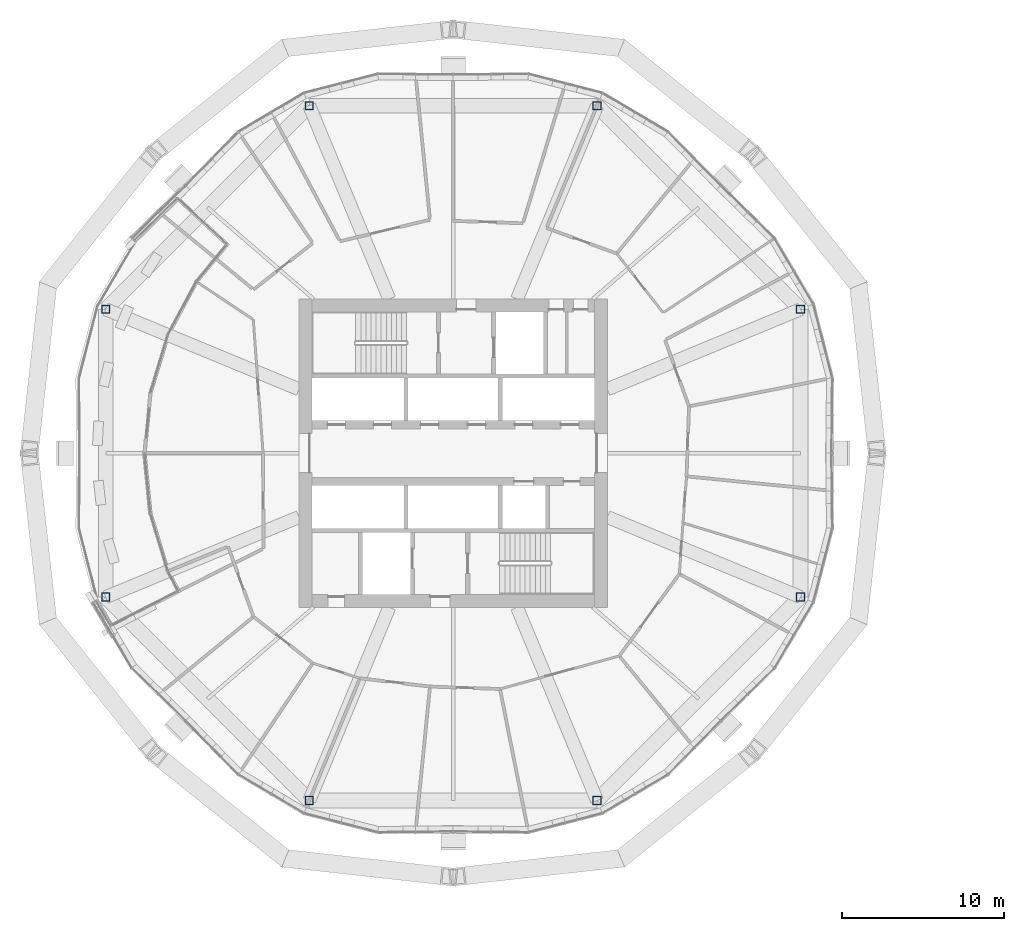
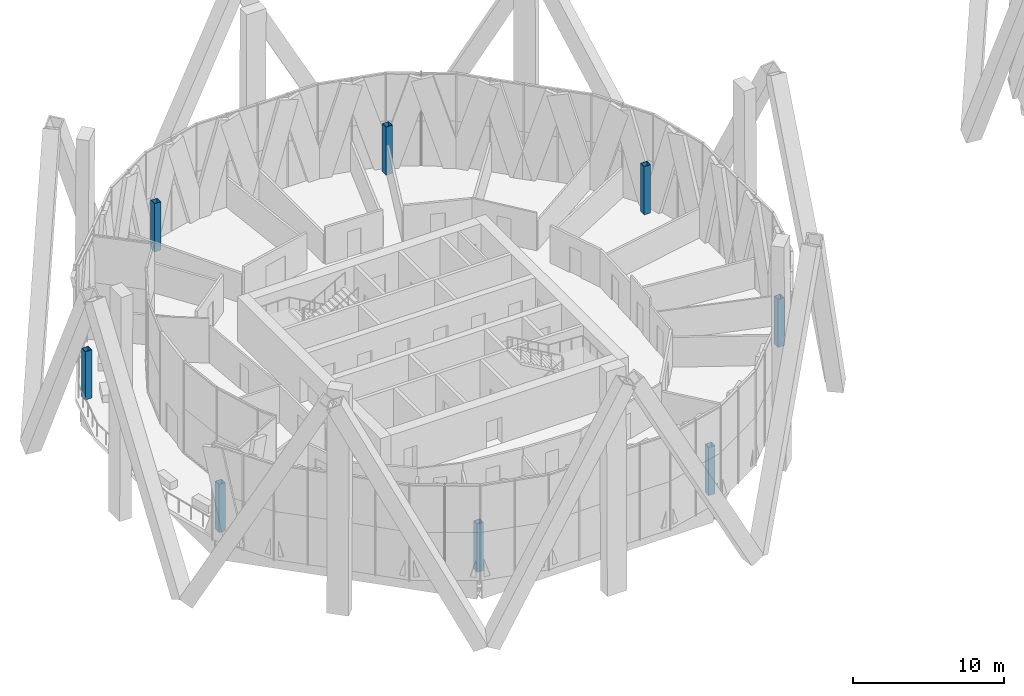
# One storey, part 1 of 30: 8 columns.
"""IFC4 building model written with IfcOpenShell, lengths in metres."""

from ifc_helpers import new_model, si_unit, direction, frame, origin, origin_2d, place, context, subcontext, project, spatial, hollow_rectangle, extrude, material, material_profile, profile_set, type_object, element, save


model = new_model("IFC4")

# Units and contexts
model_context = context("Model", 3, precision=1e-05, world=origin(), true_north=direction((0.0, 1.0)))
body_context = subcontext(model_context, "Body", "Model", "MODEL_VIEW")
ifc_project = project(units=[si_unit("LENGTHUNIT", "METRE"), si_unit("AREAUNIT", "SQUARE_METRE"), si_unit("VOLUMEUNIT", "CUBIC_METRE"), si_unit("PLANEANGLEUNIT", "RADIAN"), si_unit("MASSUNIT", "GRAM", prefix="KILO")], contexts=[model_context])

# Site, building, storey
site_placement = place(None, origin())
site = spatial("IfcSite", under=ifc_project, at=site_placement, CompositionType="ELEMENT")
building_placement = place(site_placement, origin())
building = spatial("IfcBuilding", under=site, at=building_placement, Name="Ogive Gate Towers", CompositionType="ELEMENT")
storey_placement = place(building_placement, frame((0.0, 0.0, 99.60009765625)))
storey = spatial("IfcBuildingStorey", under=building, at=storey_placement, Name="L23", CompositionType="ELEMENT", Elevation=99.60009765625)

# Columns
ifc_material = material(Name="Steel SM460", Category="steel")
ifc_material_profile = material_profile(ifc_material, hollow_rectangle(XDim=0.5, YDim=0.5, WallThickness=0.030029296875, at=origin_2d()), Name="BX 500x500x30")
ifc_profile_set = profile_set([ifc_material_profile], Name="Steel SM460")
column_type = type_object("IfcColumnType", Name="Perimeter post BX 500x500x30", PredefinedType="COLUMN", material=ifc_profile_set)
for number, where, z_axis, x_axis, name in (
    (1, (-14.60302734375, 8.863037109375, 0.0), (0.0, 0.0, 1.0), (1.0, 0.0, 0.0), "T1/L23/SCL001"),
    (2, (-27.136962890625, 21.39697265625, 0.0), (0.0, 0.0, 1.0), (1.0, 0.0, 0.0), "T1/L23/SCL002"),
    (3, (-44.863037109375, 21.39697265625, 0.0), (0.0, 0.0, 1.0), (1.0, 0.0, 0.0), "T1/L23/SCL003"),
    (4, (-57.39697265625, 8.863037109375, 0.0), (0.0, 0.0, 1.0), (1.0, 0.0, 0.0), "T1/L23/SCL004"),
    (5, (-57.39697265625, -8.863037109375, 0.0), (0.0, 0.0, 1.0), (1.0, 0.0, 0.0), "T1/L23/SCL005"),
    (6, (-44.863037109375, -21.39697265625, 0.0), (0.0, 0.0, 1.0), (1.0, 0.0, 0.0), "T1/L23/SCL006"),
    (7, (-27.136962890625, -21.39697265625, 0.0), (0.0, 0.0, 1.0), (1.0, 0.0, 0.0), "T1/L23/SCL007"),
    (8, (-14.60302734375, -8.863037109375, 0.0), (0.0, 0.0, 1.0), (1.0, 0.0, 0.0), "T1/L23/SCL008"),
):
    element("IfcColumn", number, at=place(storey_placement, frame(where, z_axis=z_axis, x_axis=x_axis)), inside=storey, type_object=column_type, Name=name, PredefinedType="COLUMN", context=body_context, shape_type="SweptSolid", body=[
        extrude(hollow_rectangle(XDim=0.5, YDim=0.5, WallThickness=0.030029296875, at=origin_2d()), origin(), (0.0, 0.0, 1.0), 3.89990234375),
    ])

save(model, "model.ifc")
